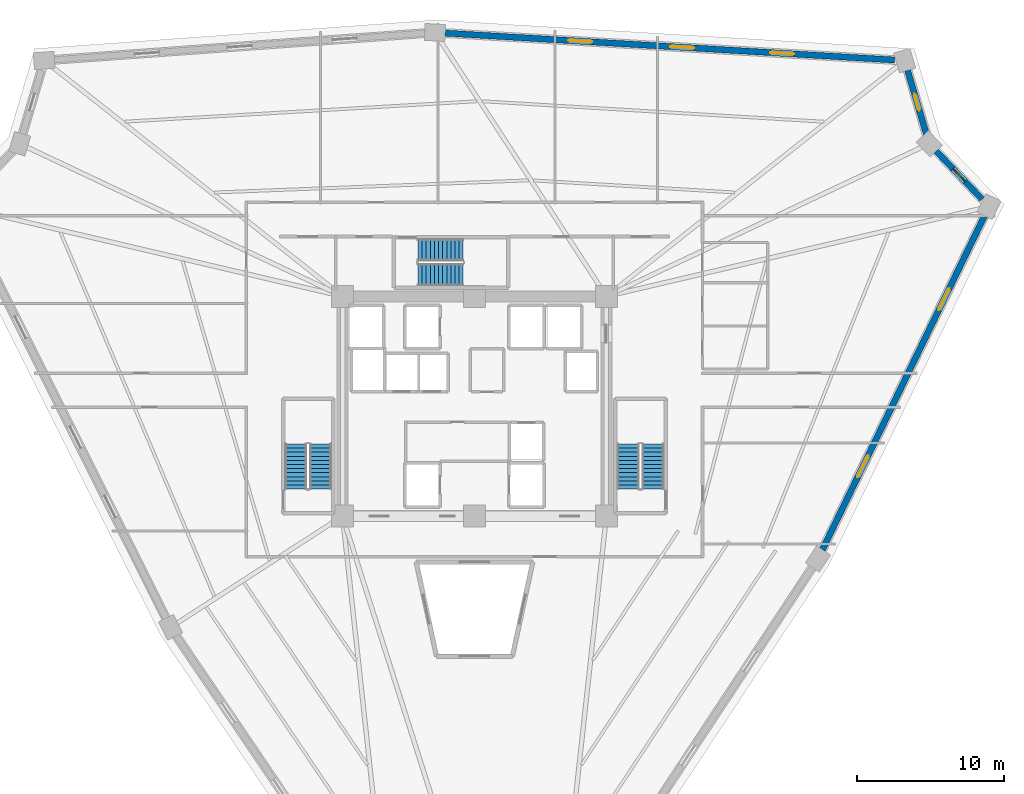
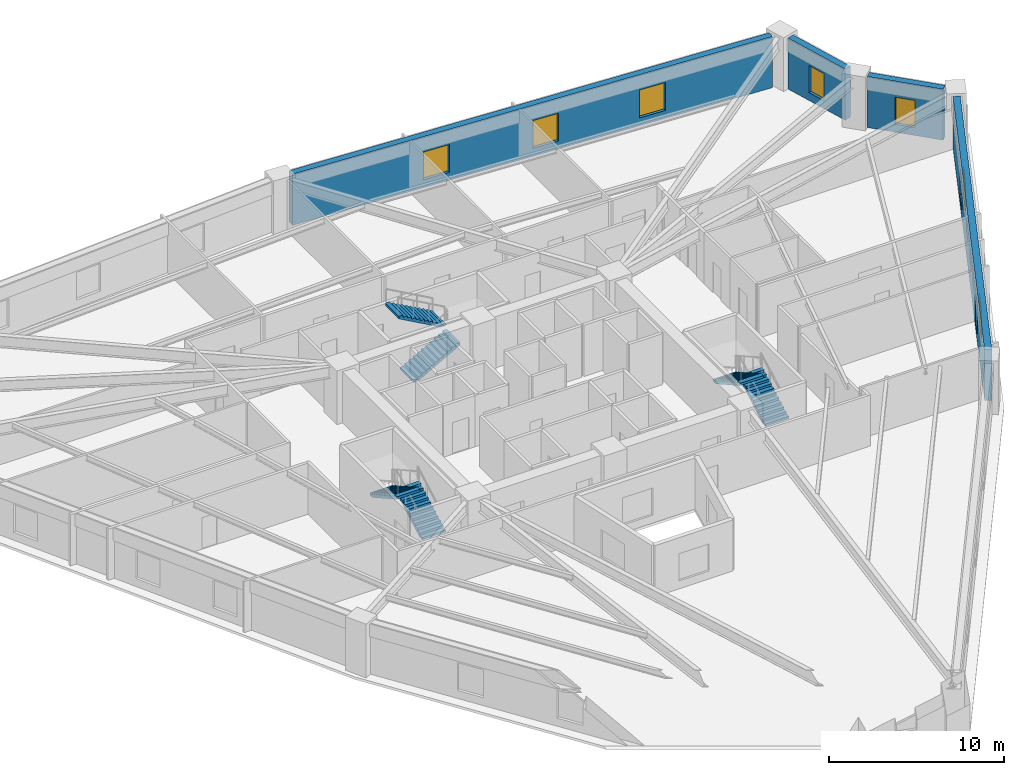
# One storey, part 7 of 8: 7 windows, 6 stair flights, 4 walls, 7 openings, 3 elements without a shape of their own.
"""IFC4 building model written with IfcOpenShell, lengths in metres."""

from ifc_helpers import new_model, si_unit, direction, frame, frame_2d, origin, place, context, subcontext, project, spatial, polyline, rectangle, outline, extrude, source, transform, mapped, material, layer, layer_set, type_object, element, fill, aggregate, save


model = new_model("IFC4")

# Units and contexts
model_context = context("Model", 3, precision=1e-05, world=origin(), true_north=direction((0.0, 1.0)))
body_context = subcontext(model_context, "Body", "Model", "MODEL_VIEW")
ifc_project = project(units=[si_unit("LENGTHUNIT", "METRE"), si_unit("AREAUNIT", "SQUARE_METRE"), si_unit("VOLUMEUNIT", "CUBIC_METRE"), si_unit("PLANEANGLEUNIT", "RADIAN"), si_unit("MASSUNIT", "GRAM", prefix="KILO")], contexts=[model_context])

# Site, building, storey
site_placement = place(None, origin())
site = spatial("IfcSite", under=ifc_project, at=site_placement, CompositionType="ELEMENT")
building_placement = place(site_placement, origin())
building = spatial("IfcBuilding", under=site, at=building_placement, Name="Liaohun Quay Tower", CompositionType="ELEMENT")
storey_placement = place(building_placement, frame((0.0, 0.0, 155.25)))
storey = spatial("IfcBuildingStorey", under=building, at=storey_placement, Name="L40", CompositionType="ELEMENT", Elevation=155.25)

# Wall, openings, windows
ifc_material_1 = material(Name="Precast concrete C50 insulated sandwich", Category="concrete")
ifc_layer = layer(ifc_material_1, 0.419921875, Name="Precast concrete C50 insulated sandwich", Category="concrete")
ifc_layer_set = layer_set([ifc_layer], Name="Precast concrete C50 insulated sandwich")
wall_type = type_object("IfcWallType", Name="WAL-EXT-Z12", PredefinedType="SOLIDWALL", material=ifc_layer_set)
wall_1_placement = place(storey_placement, frame((83.737060546875, 44.202880859375, 0.0), z_axis=(0.0, 0.0, 1.0), x_axis=(0.436800646479, 0.899558333426, 0.0)))
wall_1 = element("IfcWall", 1, at=wall_1_placement, inside=storey, type_object=wall_type, Name="L40 Brutalist Precast Pier Wall 03", PredefinedType="SOLIDWALL", context=body_context, shape_type="SweptSolid", body=[
    extrude(rectangle(XDim=25.347900390625, YDim=0.419921875, at=frame_2d((12.673828125, 0.0))), origin(), (0.0, 0.0, 1.0), 3.570068359375),
])
shared_shape_1 = source(origin(), body_context, "Body", "SweptSolid", [
    extrude(rectangle(XDim=1.64990234375, YDim=1.949951171875, at=frame_2d((0.824951171875, 0.97509765625))), frame((0.0, 0.219970703125, 0.0), z_axis=(0.0, -1.0, 0.0), x_axis=(1.0, 0.0, 0.0)), (0.0, 0.0, 1.0), 0.43994140625),
])
opening_1_placement = place(wall_1_placement, frame((5.511962890625, 0.0, 0.550048828125)))
opening_1 = element("IfcOpeningElement", 2, at=opening_1_placement, cuts=wall_1, Name="Opening W02", PredefinedType="OPENING", context=body_context, shape_type="MappedRepresentation", body=[
    mapped(shared_shape_1, transform((0.0, 0.0, 0.0), x_axis=(1.0, 0.0, 0.0), y_axis=(0.0, 1.0, 0.0), z_axis=(0.0, 0.0, 1.0), scale=1.0)),
])
opening_2_placement = place(wall_1_placement, frame((18.18603515625, 0.0, 0.550048828125)))
opening_2 = element("IfcOpeningElement", 3, at=opening_2_placement, cuts=wall_1, Name="Opening W02", PredefinedType="OPENING", context=body_context, shape_type="MappedRepresentation", body=[
    mapped(shared_shape_1, transform((0.0, 0.0, 0.0), x_axis=(1.0, 0.0, 0.0), y_axis=(0.0, 1.0, 0.0), z_axis=(0.0, 0.0, 1.0), scale=1.0)),
])
ifc_material_2 = material(Name="Triple Low-E argon glazing in thermally broken aluminium", Category="aluminium")
window_type_1 = type_object("IfcWindowType", Name="WIN-PUN-Z2", PartitioningType="DOUBLE_PANEL_VERTICAL", PredefinedType="WINDOW", material=ifc_material_2)
shared_shape_2 = source(origin(), body_context, "Body", "SweptSolid", [
    extrude(rectangle(XDim=1.64990234375, YDim=1.949951171875, at=frame_2d((0.824951171875, 0.97509765625))), frame((0.0, 0.030029296875, 0.0), z_axis=(0.0, -1.0, 0.0), x_axis=(1.0, 0.0, 0.0)), (0.0, 0.0, 1.0), 0.06005859375),
])
window_1_placement = place(opening_1_placement, origin())
window_1 = element("IfcWindow", 4, at=window_1_placement, inside=storey, type_object=window_type_1, Name="L40 Recessed Cold-Climate Punched Window 03-1", OverallHeight=1.949951171875, OverallWidth=1.64990234375, PartitioningType="DOUBLE_PANEL_VERTICAL", PredefinedType="WINDOW", context=body_context, shape_type="MappedRepresentation", body=[
    mapped(shared_shape_2, transform((0.0, 0.0, 0.0), x_axis=(1.0, 0.0, 0.0), y_axis=(0.0, 1.0, 0.0), z_axis=(0.0, 0.0, 1.0), scale=1.0)),
])
fill(opening_1, window_1)
window_2_placement = place(opening_2_placement, origin())
window_2 = element("IfcWindow", 5, at=window_2_placement, inside=storey, type_object=window_type_1, Name="L40 Recessed Cold-Climate Punched Window 03-3", OverallHeight=1.949951171875, OverallWidth=1.64990234375, PartitioningType="DOUBLE_PANEL_VERTICAL", PredefinedType="WINDOW", context=body_context, shape_type="MappedRepresentation", body=[
    mapped(shared_shape_2, transform((0.0, 0.0, 0.0), x_axis=(1.0, 0.0, 0.0), y_axis=(0.0, 1.0, 0.0), z_axis=(0.0, 0.0, 1.0), scale=1.0)),
])
fill(opening_2, window_2)

# Wall, opening, window
wall_2_placement = place(storey_placement, frame((94.634033203125, 68.1259765625, 0.0), z_axis=(0.0, 0.0, 1.0), x_axis=(-0.68927504917, 0.724499763003, 0.0)))
wall_2 = element("IfcWall", 6, at=wall_2_placement, inside=storey, type_object=wall_type, Name="L40 Brutalist Precast Pier Wall 04", PredefinedType="SOLIDWALL", context=body_context, shape_type="SweptSolid", body=[
    extrude(rectangle(XDim=4.539794921875, YDim=0.419921875, at=frame_2d((2.27001953125, 0.0))), origin(), (0.0, 0.0, 1.0), 3.570068359375),
])
shared_shape_3 = source(origin(), body_context, "Body", "SweptSolid", [
    extrude(rectangle(XDim=1.199951171875, YDim=1.89990234375, at=frame_2d((0.60009765625, 0.949951171875))), frame((0.0, 0.219970703125, 0.0), z_axis=(0.0, -1.0, 0.0), x_axis=(1.0, 0.0, 0.0)), (0.0, 0.0, 1.0), 0.43994140625),
])
opening_3_placement = place(wall_2_placement, frame((1.669921875, 0.0, 0.550048828125)))
opening_3 = element("IfcOpeningElement", 7, at=opening_3_placement, cuts=wall_2, Name="Opening W05", PredefinedType="OPENING", context=body_context, shape_type="MappedRepresentation", body=[
    mapped(shared_shape_3, transform((0.0, 0.0, 0.0), x_axis=(1.0, 0.0, 0.0), y_axis=(0.0, 1.0, 0.0), z_axis=(0.0, 0.0, 1.0), scale=1.0)),
])
ifc_material_3 = material(Name="Triple Low-E corner notch glazing", Category="glass")
window_type_2 = type_object("IfcWindowType", Name="WIN-NOTCH", PartitioningType="SINGLE_PANEL", PredefinedType="WINDOW", material=ifc_material_3)
shared_shape_4 = source(origin(), body_context, "Body", "SweptSolid", [
    extrude(rectangle(XDim=1.199951171875, YDim=1.89990234375, at=frame_2d((0.60009765625, 0.949951171875))), frame((0.0, 0.030029296875, 0.0), z_axis=(0.0, -1.0, 0.0), x_axis=(1.0, 0.0, 0.0)), (0.0, 0.0, 1.0), 0.06005859375),
])
window_3_placement = place(opening_3_placement, origin())
window_3 = element("IfcWindow", 8, at=window_3_placement, inside=storey, type_object=window_type_2, Name="L40 Corner Notch Window W05-04", OverallHeight=1.89990234375, OverallWidth=1.199951171875, PartitioningType="SINGLE_PANEL", PredefinedType="WINDOW", context=body_context, shape_type="MappedRepresentation", body=[
    mapped(shared_shape_4, transform((0.0, 0.0, 0.0), x_axis=(1.0, 0.0, 0.0), y_axis=(0.0, 1.0, 0.0), z_axis=(0.0, 0.0, 1.0), scale=1.0)),
])
fill(opening_3, window_3)

wall_3_placement = place(storey_placement, frame((90.833984375, 72.576904296875, 0.0), z_axis=(0.0, 0.0, 1.0), x_axis=(-0.282915903715, 0.959144718708, 0.0)))
wall_3 = element("IfcWall", 9, at=wall_3_placement, inside=storey, type_object=wall_type, Name="L40 Brutalist Precast Pier Wall 05", PredefinedType="SOLIDWALL", context=body_context, shape_type="SweptSolid", body=[
    extrude(rectangle(XDim=4.53125, YDim=0.419921875, at=frame_2d((2.265625, 0.0))), origin(), (0.0, 0.0, 1.0), 3.570068359375),
])
opening_4_placement = place(wall_3_placement, frame((1.666015625, 0.0, 0.550048828125)))
opening_4 = element("IfcOpeningElement", 10, at=opening_4_placement, cuts=wall_3, Name="Opening W05", PredefinedType="OPENING", context=body_context, shape_type="MappedRepresentation", body=[
    mapped(shared_shape_3, transform((0.0, 0.0, 0.0), x_axis=(1.0, 0.0, 0.0), y_axis=(0.0, 1.0, 0.0), z_axis=(0.0, 0.0, 1.0), scale=1.0)),
])
window_4_placement = place(opening_4_placement, origin())
window_4 = element("IfcWindow", 11, at=window_4_placement, inside=storey, type_object=window_type_2, Name="L40 Corner Notch Window W05-05", OverallHeight=1.89990234375, OverallWidth=1.199951171875, PartitioningType="SINGLE_PANEL", PredefinedType="WINDOW", context=body_context, shape_type="MappedRepresentation", body=[
    mapped(shared_shape_4, transform((0.0, 0.0, 0.0), x_axis=(1.0, 0.0, 0.0), y_axis=(0.0, 1.0, 0.0), z_axis=(0.0, 0.0, 1.0), scale=1.0)),
])
fill(opening_4, window_4)

# Wall, openings, windows
wall_4_placement = place(storey_placement, frame((88.66796875, 77.6259765625, 0.0), z_axis=(0.0, 0.0, 1.0), x_axis=(-0.998209336024, 0.059817401095, 0.0)))
wall_4 = element("IfcWall", 12, at=wall_4_placement, inside=storey, type_object=wall_type, Name="L40 Brutalist Precast Pier Wall 06", PredefinedType="SOLIDWALL", context=body_context, shape_type="SweptSolid", body=[
    extrude(rectangle(XDim=30.72900390625, YDim=0.419921875, at=frame_2d((15.364501953125, 0.0))), origin(), (0.0, 0.0, 1.0), 3.570068359375),
])
opening_5_placement = place(wall_4_placement, frame((6.85693359375, 0.0, 0.550048828125)))
opening_5 = element("IfcOpeningElement", 13, at=opening_5_placement, cuts=wall_4, Name="Opening W02", PredefinedType="OPENING", context=body_context, shape_type="MappedRepresentation", body=[
    mapped(shared_shape_1, transform((0.0, 0.0, 0.0), x_axis=(1.0, 0.0, 0.0), y_axis=(0.0, 1.0, 0.0), z_axis=(0.0, 0.0, 1.0), scale=1.0)),
])
opening_6_placement = place(wall_4_placement, frame((13.68994140625, 0.0, 0.550048828125)))
opening_6 = element("IfcOpeningElement", 14, at=opening_6_placement, cuts=wall_4, Name="Opening W02", PredefinedType="OPENING", context=body_context, shape_type="MappedRepresentation", body=[
    mapped(shared_shape_1, transform((0.0, 0.0, 0.0), x_axis=(1.0, 0.0, 0.0), y_axis=(0.0, 1.0, 0.0), z_axis=(0.0, 0.0, 1.0), scale=1.0)),
])
opening_7_placement = place(wall_4_placement, frame((20.672119140625, 0.0, 0.550048828125)))
opening_7 = element("IfcOpeningElement", 15, at=opening_7_placement, cuts=wall_4, Name="Opening W02", PredefinedType="OPENING", context=body_context, shape_type="MappedRepresentation", body=[
    mapped(shared_shape_1, transform((0.0, 0.0, 0.0), x_axis=(1.0, 0.0, 0.0), y_axis=(0.0, 1.0, 0.0), z_axis=(0.0, 0.0, 1.0), scale=1.0)),
])
window_5_placement = place(opening_5_placement, origin())
window_5 = element("IfcWindow", 16, at=window_5_placement, inside=storey, type_object=window_type_1, Name="L40 Recessed Cold-Climate Punched Window 06-1", OverallHeight=1.949951171875, OverallWidth=1.64990234375, PartitioningType="DOUBLE_PANEL_VERTICAL", PredefinedType="WINDOW", context=body_context, shape_type="MappedRepresentation", body=[
    mapped(shared_shape_2, transform((0.0, 0.0, 0.0), x_axis=(1.0, 0.0, 0.0), y_axis=(0.0, 1.0, 0.0), z_axis=(0.0, 0.0, 1.0), scale=1.0)),
])
fill(opening_5, window_5)
window_6_placement = place(opening_6_placement, origin())
window_6 = element("IfcWindow", 17, at=window_6_placement, inside=storey, type_object=window_type_1, Name="L40 Recessed Cold-Climate Punched Window 06-2", OverallHeight=1.949951171875, OverallWidth=1.64990234375, PartitioningType="DOUBLE_PANEL_VERTICAL", PredefinedType="WINDOW", context=body_context, shape_type="MappedRepresentation", body=[
    mapped(shared_shape_2, transform((0.0, 0.0, 0.0), x_axis=(1.0, 0.0, 0.0), y_axis=(0.0, 1.0, 0.0), z_axis=(0.0, 0.0, 1.0), scale=1.0)),
])
fill(opening_6, window_6)
window_7_placement = place(opening_7_placement, origin())
window_7 = element("IfcWindow", 18, at=window_7_placement, inside=storey, type_object=window_type_1, Name="L40 Recessed Cold-Climate Punched Window 06-3", OverallHeight=1.949951171875, OverallWidth=1.64990234375, PartitioningType="DOUBLE_PANEL_VERTICAL", PredefinedType="WINDOW", context=body_context, shape_type="MappedRepresentation", body=[
    mapped(shared_shape_2, transform((0.0, 0.0, 0.0), x_axis=(1.0, 0.0, 0.0), y_axis=(0.0, 1.0, 0.0), z_axis=(0.0, 0.0, 1.0), scale=1.0)),
])
fill(opening_7, window_7)

# Stair, stair flights
ifc_material_4 = material(Name="Concrete C45", Category="concrete")
stair_type = type_object("IfcStairType", Name="STR-CORE-OFF", PredefinedType="HALF_TURN_STAIR", material=ifc_material_4)
stair_1_placement = place(storey_placement, origin())
stair_1 = element("IfcStair", 19, at=stair_1_placement, inside=storey, type_object=stair_type, Name="L40 Smokeproof Core Exit Stair ST-1", PredefinedType="HALF_TURN_STAIR")
stair_flight_type = type_object("IfcStairFlightType", Name="FLT-CORE-155", PredefinedType="STRAIGHT", material=ifc_material_4)
stair_flight_1_placement = place(storey_placement, frame((49.5048828125, 48.35009765625, 0.0), z_axis=(0.0, 0.0, 1.0), x_axis=(0.0, 1.0, 0.0)))
stair_flight_1 = element("IfcStairFlight", 20, at=stair_flight_1_placement, type_object=stair_flight_type, Name="ST-1 flight 1", NumberOfRisers=12, NumberOfTreads=11, PredefinedType="STRAIGHT", RiserHeight=0.15625, TreadLength=0.28, context=body_context, shape_type="SweptSolid", body=[
    extrude(outline(polyline([(0.0, 0.0), (0.0, 0.15625), (0.280029296875, 0.15625), (0.280029296875, 0.3125), (0.56005859375, 0.3125), (0.56005859375, 0.46875), (0.840087890625, 0.46875), (0.840087890625, 0.625), (1.1201171875, 0.625), (1.1201171875, 0.78125), (1.39990234375, 0.78125), (1.39990234375, 0.9375), (1.679931640625, 0.9375), (1.679931640625, 1.09375), (1.9599609375, 1.09375), (1.9599609375, 1.25), (2.239990234375, 1.25), (2.239990234375, 1.40625), (2.52001953125, 1.40625), (2.52001953125, 1.5625), (2.800048828125, 1.5625), (2.800048828125, 1.71875), (3.080078125, 1.71875), (3.080078125, 1.875), (3.080078125, 1.547119140625), (0.3076171875, 0.0), (0.0, 0.0)])), frame((0.0, 0.77490234375, 0.0), z_axis=(0.0, -1.0, 0.0), x_axis=(1.0, 0.0, 0.0)), (0.0, 0.0, 1.0), 1.550048828125),
])
stair_flight_2_placement = place(storey_placement, frame((47.81494140625, 51.429931640625, 1.875), z_axis=(0.0, 0.0, 1.0), x_axis=(0.0, -1.0, 0.0)))
stair_flight_2 = element("IfcStairFlight", 21, at=stair_flight_2_placement, type_object=stair_flight_type, Name="ST-1 flight 2", NumberOfRisers=12, NumberOfTreads=11, PredefinedType="STRAIGHT", RiserHeight=0.15625, TreadLength=0.28, context=body_context, shape_type="SweptSolid", body=[
    extrude(outline(polyline([(0.0, 0.0), (0.0, 0.15625), (0.280029296875, 0.15625), (0.280029296875, 0.3125), (0.56005859375, 0.3125), (0.56005859375, 0.46875), (0.840087890625, 0.46875), (0.840087890625, 0.625), (1.1201171875, 0.625), (1.1201171875, 0.78125), (1.39990234375, 0.78125), (1.39990234375, 0.9375), (1.679931640625, 0.9375), (1.679931640625, 1.09375), (1.9599609375, 1.09375), (1.9599609375, 1.25), (2.239990234375, 1.25), (2.239990234375, 1.40625), (2.52001953125, 1.40625), (2.52001953125, 1.5625), (2.800048828125, 1.5625), (2.800048828125, 1.71875), (3.080078125, 1.71875), (3.080078125, 1.875), (3.080078125, 1.547119140625), (0.3076171875, 0.0), (0.0, 0.0)])), frame((0.0, 0.77490234375, 0.0), z_axis=(0.0, -1.0, 0.0), x_axis=(1.0, 0.0, 0.0)), (0.0, 0.0, 1.0), 1.550048828125),
])
aggregate(stair_1, [stair_flight_1, stair_flight_2])

stair_2_placement = place(storey_placement, origin())
stair_2 = element("IfcStair", 22, at=stair_2_placement, inside=storey, type_object=stair_type, Name="L40 Smokeproof Core Exit Stair ST-2", PredefinedType="HALF_TURN_STAIR")
stair_flight_3_placement = place(storey_placement, frame((72.18505859375, 48.35009765625, 0.0), z_axis=(0.0, 0.0, 1.0), x_axis=(0.0, 1.0, 0.0)))
stair_flight_3 = element("IfcStairFlight", 23, at=stair_flight_3_placement, type_object=stair_flight_type, Name="ST-2 flight 1", NumberOfRisers=12, NumberOfTreads=11, PredefinedType="STRAIGHT", RiserHeight=0.15625, TreadLength=0.28, context=body_context, shape_type="SweptSolid", body=[
    extrude(outline(polyline([(0.0, 0.0), (0.0, 0.15625), (0.280029296875, 0.15625), (0.280029296875, 0.3125), (0.56005859375, 0.3125), (0.56005859375, 0.46875), (0.840087890625, 0.46875), (0.840087890625, 0.625), (1.1201171875, 0.625), (1.1201171875, 0.78125), (1.39990234375, 0.78125), (1.39990234375, 0.9375), (1.679931640625, 0.9375), (1.679931640625, 1.09375), (1.9599609375, 1.09375), (1.9599609375, 1.25), (2.239990234375, 1.25), (2.239990234375, 1.40625), (2.52001953125, 1.40625), (2.52001953125, 1.5625), (2.800048828125, 1.5625), (2.800048828125, 1.71875), (3.080078125, 1.71875), (3.080078125, 1.875), (3.080078125, 1.547119140625), (0.3076171875, 0.0), (0.0, 0.0)])), frame((0.0, 0.77490234375, 0.0), z_axis=(0.0, -1.0, 0.0), x_axis=(1.0, 0.0, 0.0)), (0.0, 0.0, 1.0), 1.550048828125),
])
stair_flight_4_placement = place(storey_placement, frame((70.4951171875, 51.429931640625, 1.875), z_axis=(0.0, 0.0, 1.0), x_axis=(0.0, -1.0, 0.0)))
stair_flight_4 = element("IfcStairFlight", 24, at=stair_flight_4_placement, type_object=stair_flight_type, Name="ST-2 flight 2", NumberOfRisers=12, NumberOfTreads=11, PredefinedType="STRAIGHT", RiserHeight=0.15625, TreadLength=0.28, context=body_context, shape_type="SweptSolid", body=[
    extrude(outline(polyline([(0.0, 0.0), (0.0, 0.15625), (0.280029296875, 0.15625), (0.280029296875, 0.3125), (0.56005859375, 0.3125), (0.56005859375, 0.46875), (0.840087890625, 0.46875), (0.840087890625, 0.625), (1.1201171875, 0.625), (1.1201171875, 0.78125), (1.39990234375, 0.78125), (1.39990234375, 0.9375), (1.679931640625, 0.9375), (1.679931640625, 1.09375), (1.9599609375, 1.09375), (1.9599609375, 1.25), (2.239990234375, 1.25), (2.239990234375, 1.40625), (2.52001953125, 1.40625), (2.52001953125, 1.5625), (2.800048828125, 1.5625), (2.800048828125, 1.71875), (3.080078125, 1.71875), (3.080078125, 1.875), (3.080078125, 1.547119140625), (0.3076171875, 0.0), (0.0, 0.0)])), frame((0.0, 0.77490234375, 0.0), z_axis=(0.0, -1.0, 0.0), x_axis=(1.0, 0.0, 0.0)), (0.0, 0.0, 1.0), 1.550048828125),
])
aggregate(stair_2, [stair_flight_3, stair_flight_4])

stair_3_placement = place(storey_placement, origin())
stair_3 = element("IfcStair", 25, at=stair_3_placement, inside=storey, type_object=stair_type, Name="L40 Smokeproof Core Exit Stair ST-3", PredefinedType="HALF_TURN_STAIR")
stair_flight_5_placement = place(storey_placement, frame((56.14990234375, 62.97509765625, 0.0), z_axis=(0.0, 0.0, 1.0), x_axis=(1.0, 0.0, 0.0)))
stair_flight_5 = element("IfcStairFlight", 26, at=stair_flight_5_placement, type_object=stair_flight_type, Name="ST-3 flight 1", NumberOfRisers=12, NumberOfTreads=11, PredefinedType="STRAIGHT", RiserHeight=0.15625, TreadLength=0.28, context=body_context, shape_type="SweptSolid", body=[
    extrude(outline(polyline([(0.0, 0.0), (0.0, 0.15625), (0.280029296875, 0.15625), (0.280029296875, 0.3125), (0.56005859375, 0.3125), (0.56005859375, 0.46875), (0.840087890625, 0.46875), (0.840087890625, 0.625), (1.1201171875, 0.625), (1.1201171875, 0.78125), (1.39990234375, 0.78125), (1.39990234375, 0.9375), (1.679931640625, 0.9375), (1.679931640625, 1.09375), (1.9599609375, 1.09375), (1.9599609375, 1.25), (2.239990234375, 1.25), (2.239990234375, 1.40625), (2.52001953125, 1.40625), (2.52001953125, 1.5625), (2.800048828125, 1.5625), (2.800048828125, 1.71875), (3.080078125, 1.71875), (3.080078125, 1.875), (3.080078125, 1.547119140625), (0.3076171875, 0.0), (0.0, 0.0)])), frame((0.0, 0.77490234375, 0.0), z_axis=(0.0, -1.0, 0.0), x_axis=(1.0, 0.0, 0.0)), (0.0, 0.0, 1.0), 1.550048828125),
])
stair_flight_6_placement = place(storey_placement, frame((59.22998046875, 64.6650390625, 1.875), z_axis=(0.0, 0.0, 1.0), x_axis=(-1.0, 0.0, 0.0)))
stair_flight_6 = element("IfcStairFlight", 27, at=stair_flight_6_placement, type_object=stair_flight_type, Name="ST-3 flight 2", NumberOfRisers=12, NumberOfTreads=11, PredefinedType="STRAIGHT", RiserHeight=0.15625, TreadLength=0.28, context=body_context, shape_type="SweptSolid", body=[
    extrude(outline(polyline([(0.0, 0.0), (0.0, 0.15625), (0.280029296875, 0.15625), (0.280029296875, 0.3125), (0.56005859375, 0.3125), (0.56005859375, 0.46875), (0.840087890625, 0.46875), (0.840087890625, 0.625), (1.1201171875, 0.625), (1.1201171875, 0.78125), (1.39990234375, 0.78125), (1.39990234375, 0.9375), (1.679931640625, 0.9375), (1.679931640625, 1.09375), (1.9599609375, 1.09375), (1.9599609375, 1.25), (2.239990234375, 1.25), (2.239990234375, 1.40625), (2.52001953125, 1.40625), (2.52001953125, 1.5625), (2.800048828125, 1.5625), (2.800048828125, 1.71875), (3.080078125, 1.71875), (3.080078125, 1.875), (3.080078125, 1.547119140625), (0.3076171875, 0.0), (0.0, 0.0)])), frame((0.0, 0.77490234375, 0.0), z_axis=(0.0, -1.0, 0.0), x_axis=(1.0, 0.0, 0.0)), (0.0, 0.0, 1.0), 1.550048828125),
])
aggregate(stair_3, [stair_flight_5, stair_flight_6])

save(model, "model.ifc")
